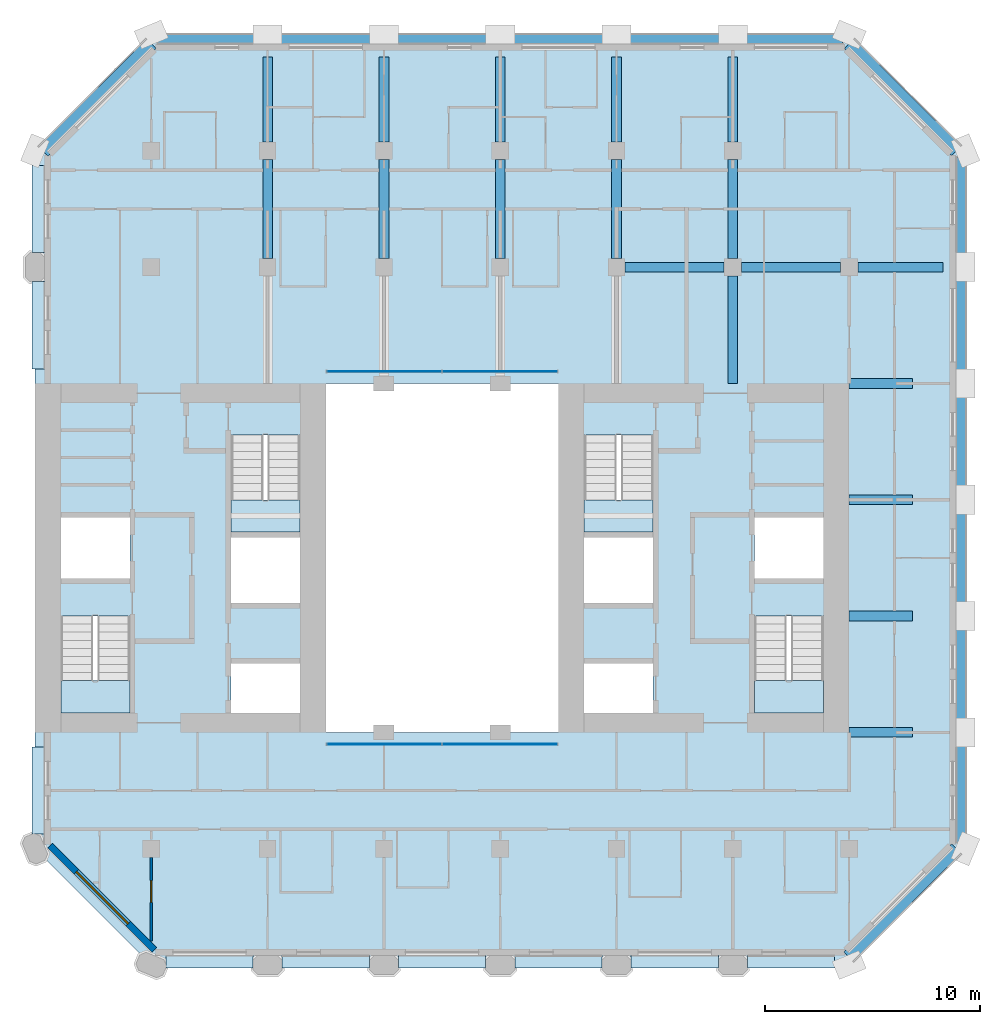
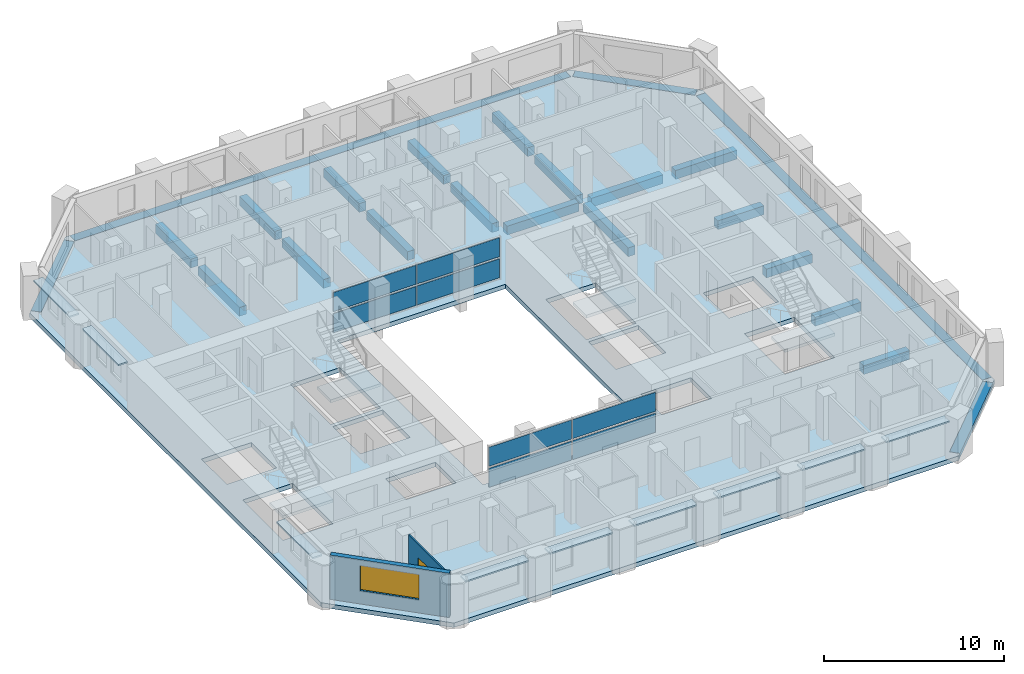
# One storey, part 3 of 13: 23 beams, 17 plates, 5 slabs, 2 walls, 1 door, 1 window, 2 openings, 6 elements without a shape of their own.
"""IFC4 building model written with IfcOpenShell, lengths in metres."""

from ifc_helpers import new_model, si_unit, direction, frame, frame_2d, origin, origin_2d, place, context, subcontext, project, spatial, polyline, rectangle, outline, extrude, material, layer, layer_set, material_profile, profile_set, type_object, element, fill, aggregate, save


model = new_model("IFC4")

# Units and contexts
model_context = context("Model", 3, precision=1e-05, world=origin(), true_north=direction((0.0, 1.0)))
body_context = subcontext(model_context, "Body", "Model", "MODEL_VIEW")
ifc_project = project(units=[si_unit("LENGTHUNIT", "METRE"), si_unit("AREAUNIT", "SQUARE_METRE"), si_unit("VOLUMEUNIT", "CUBIC_METRE"), si_unit("PLANEANGLEUNIT", "RADIAN"), si_unit("MASSUNIT", "GRAM", prefix="KILO")], contexts=[model_context])

# Site, building, storey
site_placement = place(None, origin())
site = spatial("IfcSite", under=ifc_project, at=site_placement, CompositionType="ELEMENT")
building_placement = place(site_placement, origin())
building = spatial("IfcBuilding", under=site, at=building_placement, Name="Tabaq Tower and Sports Hall", CompositionType="ELEMENT")
storey_placement = place(building_placement, frame((0.0, 0.0, 200.5)))
storey = spatial("IfcBuildingStorey", under=building, at=storey_placement, Name="L49", CompositionType="ELEMENT", Elevation=200.5)

# Beams
ifc_material_1 = material(Name="Concrete C40/50", Category="concrete")
ifc_material_profile_1 = material_profile(ifc_material_1, rectangle(XDim=0.449951171875, YDim=0.60009765625, at=origin_2d()), Name="CB 450x600")
ifc_profile_set_1 = profile_set([ifc_material_profile_1], Name="Concrete C40/50")
beam_type_1 = type_object("IfcBeamType", Name="PT CANTILEVER BEAM CB 450x600 C40/50", PredefinedType="BEAM", material=ifc_profile_set_1)
for number, where, z_axis, x_axis, name in (
    (1, (46.14990234375, 16.199951171875, -0.60009765625), (-1.0, 0.0, 0.0), (0.0, -1.0, 0.0), "Cantilever Beam L49 E3 span 1"),
    (2, (46.14990234375, 21.60009765625, -0.60009765625), (-1.0, 0.0, 0.0), (0.0, -1.0, 0.0), "Cantilever Beam L49 E4 span 1"),
    (3, (46.14990234375, 27.0, -0.60009765625), (-1.0, 0.0, 0.0), (0.0, -1.0, 0.0), "Cantilever Beam L49 E5 span 1"),
    (4, (46.14990234375, 32.39990234375, -0.60009765625), (-1.0, 0.0, 0.0), (0.0, -1.0, 0.0), "Cantilever Beam L49 E6 span 1"),
):
    element("IfcBeam", number, at=place(storey_placement, frame(where, z_axis=z_axis, x_axis=x_axis)), inside=storey, type_object=beam_type_1, Name=name, PredefinedType="BEAM", context=body_context, shape_type="SweptSolid", body=[
        extrude(rectangle(XDim=0.449951171875, YDim=0.60009765625, at=origin_2d()), origin(), (0.0, 0.0, 1.0), 2.949951171875),
    ])
beam_1_placement = place(storey_placement, frame((47.550048828125, 37.800048828125, -0.60009765625), z_axis=(-1.0, 0.0, 0.0), x_axis=(0.0, -1.0, 0.0)))
element("IfcBeam", 5, at=beam_1_placement, inside=storey, type_object=beam_type_1, Name="Cantilever Beam L49 E7 span 1", PredefinedType="BEAM", context=body_context, shape_type="SweptSolid", body=[
    extrude(rectangle(XDim=0.449951171875, YDim=0.60009765625, at=origin_2d()), origin(), (0.0, 0.0, 1.0), 3.949951171875),
])
beam_2_placement = place(storey_placement, frame((42.800048828125, 37.800048828125, -0.60009765625), z_axis=(-1.0, 0.0, 0.0), x_axis=(0.0, -1.0, 0.0)))
element("IfcBeam", 6, at=beam_2_placement, inside=storey, type_object=beam_type_1, Name="Cantilever Beam L49 E7 span 2", PredefinedType="BEAM", context=body_context, shape_type="SweptSolid", body=[
    extrude(rectangle(XDim=0.449951171875, YDim=0.60009765625, at=origin_2d()), origin(), (0.0, 0.0, 1.0), 4.60009765625),
])
beam_3_placement = place(storey_placement, frame((37.39990234375, 37.800048828125, -0.60009765625), z_axis=(-1.0, 0.0, 0.0), x_axis=(0.0, -1.0, 0.0)))
element("IfcBeam", 7, at=beam_3_placement, inside=storey, type_object=beam_type_1, Name="Cantilever Beam L49 E7 span 3", PredefinedType="BEAM", context=body_context, shape_type="SweptSolid", body=[
    extrude(rectangle(XDim=0.449951171875, YDim=0.60009765625, at=origin_2d()), origin(), (0.0, 0.0, 1.0), 4.599853515625),
])
beam_4_placement = place(storey_placement, frame((16.199951171875, 47.550048828125, -0.60009765625), z_axis=(0.0, -1.0, 0.0), x_axis=(1.0, 0.0, 0.0)))
element("IfcBeam", 8, at=beam_4_placement, inside=storey, type_object=beam_type_1, Name="Cantilever Beam L49 N3 span 1", PredefinedType="BEAM", context=body_context, shape_type="SweptSolid", body=[
    extrude(rectangle(XDim=0.449951171875, YDim=0.60009765625, at=origin_2d()), origin(), (0.0, 0.0, 1.0), 3.949951171875),
])
beam_5_placement = place(storey_placement, frame((16.199951171875, 42.800048828125, -0.60009765625), z_axis=(0.0, -1.0, 0.0), x_axis=(1.0, 0.0, 0.0)))
element("IfcBeam", 9, at=beam_5_placement, inside=storey, type_object=beam_type_1, Name="Cantilever Beam L49 N3 span 2", PredefinedType="BEAM", context=body_context, shape_type="SweptSolid", body=[
    extrude(rectangle(XDim=0.449951171875, YDim=0.60009765625, at=origin_2d()), origin(), (0.0, 0.0, 1.0), 4.60009765625),
])
beam_6_placement = place(storey_placement, frame((21.60009765625, 47.550048828125, -0.60009765625), z_axis=(0.0, -1.0, 0.0), x_axis=(1.0, 0.0, 0.0)))
element("IfcBeam", 10, at=beam_6_placement, inside=storey, type_object=beam_type_1, Name="Cantilever Beam L49 N4 span 1", PredefinedType="BEAM", context=body_context, shape_type="SweptSolid", body=[
    extrude(rectangle(XDim=0.449951171875, YDim=0.60009765625, at=origin_2d()), origin(), (0.0, 0.0, 1.0), 3.949951171875),
])
beam_7_placement = place(storey_placement, frame((21.60009765625, 42.800048828125, -0.60009765625), z_axis=(0.0, -1.0, 0.0), x_axis=(1.0, 0.0, 0.0)))
element("IfcBeam", 11, at=beam_7_placement, inside=storey, type_object=beam_type_1, Name="Cantilever Beam L49 N4 span 2", PredefinedType="BEAM", context=body_context, shape_type="SweptSolid", body=[
    extrude(rectangle(XDim=0.449951171875, YDim=0.60009765625, at=origin_2d()), origin(), (0.0, 0.0, 1.0), 4.60009765625),
])
beam_8_placement = place(storey_placement, frame((27.0, 47.550048828125, -0.60009765625), z_axis=(0.0, -1.0, 0.0), x_axis=(1.0, 0.0, 0.0)))
element("IfcBeam", 12, at=beam_8_placement, inside=storey, type_object=beam_type_1, Name="Cantilever Beam L49 N5 span 1", PredefinedType="BEAM", context=body_context, shape_type="SweptSolid", body=[
    extrude(rectangle(XDim=0.449951171875, YDim=0.60009765625, at=origin_2d()), origin(), (0.0, 0.0, 1.0), 3.949951171875),
])
beam_9_placement = place(storey_placement, frame((27.0, 42.800048828125, -0.60009765625), z_axis=(0.0, -1.0, 0.0), x_axis=(1.0, 0.0, 0.0)))
element("IfcBeam", 13, at=beam_9_placement, inside=storey, type_object=beam_type_1, Name="Cantilever Beam L49 N5 span 2", PredefinedType="BEAM", context=body_context, shape_type="SweptSolid", body=[
    extrude(rectangle(XDim=0.449951171875, YDim=0.60009765625, at=origin_2d()), origin(), (0.0, 0.0, 1.0), 4.60009765625),
])
beam_10_placement = place(storey_placement, frame((32.39990234375, 47.550048828125, -0.60009765625), z_axis=(0.0, -1.0, 0.0), x_axis=(1.0, 0.0, 0.0)))
element("IfcBeam", 14, at=beam_10_placement, inside=storey, type_object=beam_type_1, Name="Cantilever Beam L49 N6 span 1", PredefinedType="BEAM", context=body_context, shape_type="SweptSolid", body=[
    extrude(rectangle(XDim=0.449951171875, YDim=0.60009765625, at=origin_2d()), origin(), (0.0, 0.0, 1.0), 3.949951171875),
])
beam_11_placement = place(storey_placement, frame((32.39990234375, 42.800048828125, -0.60009765625), z_axis=(0.0, -1.0, 0.0), x_axis=(1.0, 0.0, 0.0)))
element("IfcBeam", 15, at=beam_11_placement, inside=storey, type_object=beam_type_1, Name="Cantilever Beam L49 N6 span 2", PredefinedType="BEAM", context=body_context, shape_type="SweptSolid", body=[
    extrude(rectangle(XDim=0.449951171875, YDim=0.60009765625, at=origin_2d()), origin(), (0.0, 0.0, 1.0), 4.60009765625),
])
beam_12_placement = place(storey_placement, frame((37.800048828125, 47.550048828125, -0.60009765625), z_axis=(0.0, -1.0, 0.0), x_axis=(1.0, 0.0, 0.0)))
element("IfcBeam", 16, at=beam_12_placement, inside=storey, type_object=beam_type_1, Name="Cantilever Beam L49 N7 span 1", PredefinedType="BEAM", context=body_context, shape_type="SweptSolid", body=[
    extrude(rectangle(XDim=0.449951171875, YDim=0.60009765625, at=origin_2d()), origin(), (0.0, 0.0, 1.0), 3.949951171875),
])
beam_13_placement = place(storey_placement, frame((37.800048828125, 42.800048828125, -0.60009765625), z_axis=(0.0, -1.0, 0.0), x_axis=(1.0, 0.0, 0.0)))
element("IfcBeam", 17, at=beam_13_placement, inside=storey, type_object=beam_type_1, Name="Cantilever Beam L49 N7 span 2", PredefinedType="BEAM", context=body_context, shape_type="SweptSolid", body=[
    extrude(rectangle(XDim=0.449951171875, YDim=0.60009765625, at=origin_2d()), origin(), (0.0, 0.0, 1.0), 4.60009765625),
])
beam_14_placement = place(storey_placement, frame((37.800048828125, 37.39990234375, -0.60009765625), z_axis=(0.0, -1.0, 0.0), x_axis=(1.0, 0.0, 0.0)))
element("IfcBeam", 18, at=beam_14_placement, inside=storey, type_object=beam_type_1, Name="Cantilever Beam L49 N7 span 3", PredefinedType="BEAM", context=body_context, shape_type="SweptSolid", body=[
    extrude(rectangle(XDim=0.449951171875, YDim=0.60009765625, at=origin_2d()), origin(), (0.0, 0.0, 1.0), 5.0),
])
ifc_material_2 = material(Name="Concrete C40/50", Category="concrete")
ifc_material_profile_2 = material_profile(ifc_material_2, rectangle(XDim=0.60009765625, YDim=0.300048828125, at=origin_2d()), Name="EB 600x300")
ifc_profile_set_2 = profile_set([ifc_material_profile_2], Name="Concrete C40/50")
beam_type_2 = type_object("IfcBeamType", Name="PT EDGE BEAM EB 600x300 C40/50", PredefinedType="SPANDREL", material=ifc_profile_set_2)
beam_15_placement = place(storey_placement, frame((43.16455078125, 5.788818359375, -0.14990234375), z_axis=(0.707106781187, 0.707106781187, 0.0), x_axis=(-0.707106781187, 0.707106781187, 0.0)))
element("IfcBeam", 19, at=beam_15_placement, inside=storey, type_object=beam_type_2, Name="Edge Beam L49 1", PredefinedType="SPANDREL", context=body_context, shape_type="SweptSolid", body=[
    extrude(rectangle(XDim=0.60009765625, YDim=0.300048828125, at=origin_2d()), origin(), (0.0, 0.0, 1.0), 7.08837890625),
])
beam_16_placement = place(storey_placement, frame((48.300048828125, 11.0986328125, -0.14990234375), z_axis=(0.0, 1.0, 0.0), x_axis=(-1.0, 0.0, 0.0)))
element("IfcBeam", 20, at=beam_16_placement, inside=storey, type_object=beam_type_2, Name="Edge Beam L49 2", PredefinedType="SPANDREL", context=body_context, shape_type="SweptSolid", body=[
    extrude(rectangle(XDim=0.60009765625, YDim=0.300048828125, at=origin_2d()), origin(), (0.0, 0.0, 1.0), 31.802734375),
])
beam_17_placement = place(storey_placement, frame((48.1767578125, 43.198974609375, -0.14990234375), z_axis=(-0.707106781187, 0.707106781187, 0.0), x_axis=(-0.707106781187, -0.707106781187, 0.0)))
element("IfcBeam", 21, at=beam_17_placement, inside=storey, type_object=beam_type_2, Name="Edge Beam L49 3", PredefinedType="SPANDREL", context=body_context, shape_type="SweptSolid", body=[
    extrude(rectangle(XDim=0.60009765625, YDim=0.300048828125, at=origin_2d()), origin(), (0.0, 0.0, 1.0), 7.03955078125),
])
beam_18_placement = place(storey_placement, frame((42.9013671875, 48.300048828125, -0.14990234375), z_axis=(-1.0, 0.0, 0.0), x_axis=(0.0, -1.0, 0.0)))
element("IfcBeam", 22, at=beam_18_placement, inside=storey, type_object=beam_type_2, Name="Edge Beam L49 4", PredefinedType="SPANDREL", context=body_context, shape_type="SweptSolid", body=[
    extrude(rectangle(XDim=0.60009765625, YDim=0.300048828125, at=origin_2d()), origin(), (0.0, 0.0, 1.0), 31.802734375),
])
beam_19_placement = place(storey_placement, frame((10.801025390625, 48.1767578125, -0.14990234375), z_axis=(-0.707106781187, -0.707106781187, 0.0), x_axis=(0.707106781187, -0.707106781187, 0.0)))
element("IfcBeam", 23, at=beam_19_placement, inside=storey, type_object=beam_type_2, Name="Edge Beam L49 5", PredefinedType="SPANDREL", context=body_context, shape_type="SweptSolid", body=[
    extrude(rectangle(XDim=0.60009765625, YDim=0.300048828125, at=origin_2d()), origin(), (0.0, 0.0, 1.0), 7.08837890625),
])

# Curtain wall, plates
ifc_material_3 = material(Name="Aluminium alloy 6063-T6 framed glazing", Category="aluminium")
curtain_wall_type = type_object("IfcCurtainWallType", Name="CW1 curtain wall", PredefinedType="USERDEFINED", material=ifc_material_3)
curtain_wall_1_placement = place(storey_placement, origin())
curtain_wall_1 = element("IfcCurtainWall", 24, at=curtain_wall_1_placement, inside=storey, type_object=curtain_wall_type, Name="Atrium glazing L49 S", ObjectType="ATRIUM ENCLOSURE", PredefinedType="USERDEFINED")
ifc_material_4 = material(Name="Clear low-emissivity glass 28 mm", Category="glass")
ifc_layer_1 = layer(ifc_material_4, 0.028076171875)
ifc_layer_set_1 = layer_set([ifc_layer_1], Name="CW1 glass panel 28")
plate_type_1 = type_object("IfcPlateType", Name="CW1 glass panel 28", PredefinedType="CURTAIN_PANEL", material=ifc_layer_set_1)
plate_1_placement = place(storey_placement, frame((21.614990234375, 15.64990234375, 0.139892578125), z_axis=(0.0, 0.0, 1.0), x_axis=(1.0, 0.0, 0.0)))
plate_1 = element("IfcPlate", 25, at=plate_1_placement, type_object=plate_type_1, Name="CW1 panel 1.1", PredefinedType="CURTAIN_PANEL", context=body_context, shape_type="SweptSolid", body=[
    extrude(rectangle(XDim=5.31005859375, YDim=0.028076171875, at=origin_2d()), origin(), (0.0, 0.0, 1.0), 1.2900390625),
])
plate_2_placement = place(storey_placement, frame((21.614990234375, 15.64990234375, 1.570068359375), z_axis=(0.0, 0.0, 1.0), x_axis=(1.0, 0.0, 0.0)))
plate_2 = element("IfcPlate", 26, at=plate_2_placement, type_object=plate_type_1, Name="CW1 panel 1.2", PredefinedType="CURTAIN_PANEL", context=body_context, shape_type="SweptSolid", body=[
    extrude(rectangle(XDim=5.31005859375, YDim=0.028076171875, at=origin_2d()), origin(), (0.0, 0.0, 1.0), 1.2900390625),
])
plate_3_placement = place(storey_placement, frame((26.985107421875, 15.64990234375, 0.139892578125), z_axis=(0.0, 0.0, 1.0), x_axis=(1.0, 0.0, 0.0)))
plate_3 = element("IfcPlate", 27, at=plate_3_placement, type_object=plate_type_1, Name="CW1 panel 2.1", PredefinedType="CURTAIN_PANEL", context=body_context, shape_type="SweptSolid", body=[
    extrude(rectangle(XDim=5.31005859375, YDim=0.028076171875, at=origin_2d()), origin(), (0.0, 0.0, 1.0), 1.2900390625),
])
plate_4_placement = place(storey_placement, frame((26.985107421875, 15.64990234375, 1.570068359375), z_axis=(0.0, 0.0, 1.0), x_axis=(1.0, 0.0, 0.0)))
plate_4 = element("IfcPlate", 28, at=plate_4_placement, type_object=plate_type_1, Name="CW1 panel 2.2", PredefinedType="CURTAIN_PANEL", context=body_context, shape_type="SweptSolid", body=[
    extrude(rectangle(XDim=5.31005859375, YDim=0.028076171875, at=origin_2d()), origin(), (0.0, 0.0, 1.0), 1.2900390625),
])
aggregate(curtain_wall_1, [plate_1, plate_2, plate_3, plate_4])

curtain_wall_2_placement = place(storey_placement, origin())
curtain_wall_2 = element("IfcCurtainWall", 29, at=curtain_wall_2_placement, inside=storey, type_object=curtain_wall_type, Name="Atrium glazing L49 N", ObjectType="ATRIUM ENCLOSURE", PredefinedType="USERDEFINED")
plate_5_placement = place(storey_placement, frame((21.614990234375, 32.949951171875, 0.139892578125), z_axis=(0.0, 0.0, 1.0), x_axis=(1.0, 0.0, 0.0)))
plate_5 = element("IfcPlate", 30, at=plate_5_placement, type_object=plate_type_1, Name="CW1 panel 1.1", PredefinedType="CURTAIN_PANEL", context=body_context, shape_type="SweptSolid", body=[
    extrude(rectangle(XDim=5.31005859375, YDim=0.028076171875, at=origin_2d()), origin(), (0.0, 0.0, 1.0), 1.2900390625),
])
plate_6_placement = place(storey_placement, frame((21.614990234375, 32.949951171875, 1.570068359375), z_axis=(0.0, 0.0, 1.0), x_axis=(1.0, 0.0, 0.0)))
plate_6 = element("IfcPlate", 31, at=plate_6_placement, type_object=plate_type_1, Name="CW1 panel 1.2", PredefinedType="CURTAIN_PANEL", context=body_context, shape_type="SweptSolid", body=[
    extrude(rectangle(XDim=5.31005859375, YDim=0.028076171875, at=origin_2d()), origin(), (0.0, 0.0, 1.0), 1.2900390625),
])
plate_7_placement = place(storey_placement, frame((26.985107421875, 32.949951171875, 0.139892578125), z_axis=(0.0, 0.0, 1.0), x_axis=(1.0, 0.0, 0.0)))
plate_7 = element("IfcPlate", 32, at=plate_7_placement, type_object=plate_type_1, Name="CW1 panel 2.1", PredefinedType="CURTAIN_PANEL", context=body_context, shape_type="SweptSolid", body=[
    extrude(rectangle(XDim=5.31005859375, YDim=0.028076171875, at=origin_2d()), origin(), (0.0, 0.0, 1.0), 1.2900390625),
])
plate_8_placement = place(storey_placement, frame((26.985107421875, 32.949951171875, 1.570068359375), z_axis=(0.0, 0.0, 1.0), x_axis=(1.0, 0.0, 0.0)))
plate_8 = element("IfcPlate", 33, at=plate_8_placement, type_object=plate_type_1, Name="CW1 panel 2.2", PredefinedType="CURTAIN_PANEL", context=body_context, shape_type="SweptSolid", body=[
    extrude(rectangle(XDim=5.31005859375, YDim=0.028076171875, at=origin_2d()), origin(), (0.0, 0.0, 1.0), 1.2900390625),
])
aggregate(curtain_wall_2, [plate_5, plate_6, plate_7, plate_8])

# Stair, slab
ifc_material_5 = material(Name="Concrete C40/50", Category="concrete")
stair_type = type_object("IfcStairType", Name="Exit stair", PredefinedType="HALF_TURN_STAIR", material=ifc_material_5)
stair_1_placement = place(storey_placement, origin())
stair_1 = element("IfcStair", 34, at=stair_1_placement, inside=storey, type_object=stair_type, Name="L49 Exit stair ST1", PredefinedType="HALF_TURN_STAIR")
ifc_material_6 = material(Name="Concrete C40/50", Category="concrete")
ifc_layer_2 = layer(ifc_material_6, 0.199951171875)
ifc_layer_set_2 = layer_set([ifc_layer_2], Name="Exit stair landing")
slab_type_1 = type_object("IfcSlabType", Name="Exit stair landing", PredefinedType="LANDING", material=ifc_layer_set_2)
slab_1_placement = place(storey_placement, frame((0.0, 0.0, 1.449951171875)))
slab_1 = element("IfcSlab", 35, at=slab_1_placement, type_object=slab_type_1, Name="ST1 landing 1", PredefinedType="LANDING", context=body_context, shape_type="SweptSolid", body=[
    extrude(outline(polyline([(6.60009765625, 18.60009765625), (6.60009765625, 17.10009765625), (9.800048828125, 17.10009765625), (9.800048828125, 18.60009765625), (6.60009765625, 18.60009765625)])), origin(), (0.0, 0.0, 1.0), 0.199951171875),
])
aggregate(stair_1, [slab_1])

stair_2_placement = place(storey_placement, origin())
stair_2 = element("IfcStair", 36, at=stair_2_placement, inside=storey, type_object=stair_type, Name="L49 Exit stair ST2", PredefinedType="HALF_TURN_STAIR")
slab_2_placement = place(storey_placement, frame((0.0, 0.0, 1.449951171875)))
slab_2 = element("IfcSlab", 37, at=slab_2_placement, type_object=slab_type_1, Name="ST2 landing 1", PredefinedType="LANDING", context=body_context, shape_type="SweptSolid", body=[
    extrude(outline(polyline([(14.5, 27.0), (14.5, 25.5), (17.699951171875, 25.5), (17.699951171875, 27.0), (14.5, 27.0)])), origin(), (0.0, 0.0, 1.0), 0.199951171875),
])
aggregate(stair_2, [slab_2])

stair_3_placement = place(storey_placement, origin())
stair_3 = element("IfcStair", 38, at=stair_3_placement, inside=storey, type_object=stair_type, Name="L49 Exit stair ST3", PredefinedType="HALF_TURN_STAIR")
slab_3_placement = place(storey_placement, frame((0.0, 0.0, 1.449951171875)))
slab_3 = element("IfcSlab", 39, at=slab_3_placement, type_object=slab_type_1, Name="ST3 landing 1", PredefinedType="LANDING", context=body_context, shape_type="SweptSolid", body=[
    extrude(outline(polyline([(38.800048828125, 18.60009765625), (38.800048828125, 17.10009765625), (42.0, 17.10009765625), (42.0, 18.60009765625), (38.800048828125, 18.60009765625)])), origin(), (0.0, 0.0, 1.0), 0.199951171875),
])
aggregate(stair_3, [slab_3])

stair_4_placement = place(storey_placement, origin())
stair_4 = element("IfcStair", 40, at=stair_4_placement, inside=storey, type_object=stair_type, Name="L49 Exit stair ST4", PredefinedType="HALF_TURN_STAIR")
slab_4_placement = place(storey_placement, frame((0.0, 0.0, 1.449951171875)))
slab_4 = element("IfcSlab", 41, at=slab_4_placement, type_object=slab_type_1, Name="ST4 landing 1", PredefinedType="LANDING", context=body_context, shape_type="SweptSolid", body=[
    extrude(outline(polyline([(30.89990234375, 27.0), (30.89990234375, 25.5), (34.10009765625, 25.5), (34.10009765625, 27.0), (30.89990234375, 27.0)])), origin(), (0.0, 0.0, 1.0), 0.199951171875),
])
aggregate(stair_4, [slab_4])

# Slab
ifc_material_7 = material(Name="Concrete C40/50", Category="concrete")
ifc_layer_3 = layer(ifc_material_7, 0.300048828125)
ifc_layer_set_3 = layer_set([ifc_layer_3], Name="PT FLOOR SLAB 300 C40/50")
slab_type_2 = type_object("IfcSlabType", Name="PT FLOOR SLAB 300 C40/50", PredefinedType="FLOOR", material=ifc_layer_set_3)
slab_5_placement = place(storey_placement, frame((0.0, 0.0, -0.300048828125)))
element("IfcSlab", 42, at=slab_5_placement, inside=storey, type_object=slab_type_2, Name="Floor Slab L49", PredefinedType="FLOOR", context=body_context, shape_type="SweptSolid", body=[
    extrude(outline(polyline([(5.39990234375, 43.199951171875), (5.39990234375, 10.800048828125), (10.800048828125, 5.39990234375), (43.199951171875, 5.39990234375), (43.376708984375, 5.57666015625), (42.952392578125, 6.0009765625), (47.964599609375, 11.01318359375), (48.035400390625, 10.9423828125), (48.388916015625, 10.5888671875), (48.60009765625, 10.800048828125), (48.60009765625, 11.0986328125), (48.10009765625, 11.0986328125), (48.0, 11.0986328125), (48.0, 42.9013671875), (48.10009765625, 42.9013671875), (48.60009765625, 42.9013671875), (48.60009765625, 43.199951171875), (48.388916015625, 43.4111328125), (48.035400390625, 43.0576171875), (47.964599609375, 42.98681640625), (42.98681640625, 47.964599609375), (43.0576171875, 48.035400390625), (43.4111328125, 48.388916015625), (43.199951171875, 48.60009765625), (42.9013671875, 48.60009765625), (42.9013671875, 48.10009765625), (42.9013671875, 48.0), (11.0986328125, 48.0), (11.0986328125, 48.10009765625), (11.0986328125, 48.60009765625), (10.800048828125, 48.60009765625), (10.5888671875, 48.388916015625), (10.9423828125, 48.035400390625), (11.01318359375, 47.964599609375), (6.0009765625, 42.952392578125), (5.57666015625, 43.376708984375), (5.39990234375, 43.199951171875)]), holes=[polyline([(14.5, 19.39990234375), (17.699951171875, 19.39990234375), (17.699951171875, 17.10009765625), (14.5, 17.10009765625), (14.5, 19.39990234375)]), polyline([(6.60009765625, 21.599365234375), (9.800048828125, 21.599365234375), (9.800048828125, 17.10009765625), (6.60009765625, 17.10009765625), (6.60009765625, 21.599365234375)]), polyline([(14.5, 25.25), (17.699951171875, 25.25), (17.699951171875, 22.199951171875), (14.5, 22.199951171875), (14.5, 25.25)]), polyline([(18.89990234375, 32.39990234375), (29.699951171875, 32.39990234375), (29.699951171875, 16.199951171875), (18.89990234375, 16.199951171875), (18.89990234375, 32.39990234375)]), polyline([(9.800048828125, 26.175048828125), (9.800048828125, 23.35009765625), (6.60009765625, 23.35009765625), (6.60009765625, 26.175048828125), (9.800048828125, 26.175048828125)]), polyline([(14.5, 29.99951171875), (17.699951171875, 29.99951171875), (17.699951171875, 25.5), (14.5, 25.5), (14.5, 29.99951171875)]), polyline([(34.10009765625, 19.39990234375), (34.10009765625, 17.10009765625), (30.89990234375, 17.10009765625), (30.89990234375, 19.39990234375), (34.10009765625, 19.39990234375)]), polyline([(42.0, 21.599365234375), (42.0, 17.10009765625), (38.800048828125, 17.10009765625), (38.800048828125, 21.599365234375), (42.0, 21.599365234375)]), polyline([(30.89990234375, 25.25), (34.10009765625, 25.25), (34.10009765625, 22.199951171875), (30.89990234375, 22.199951171875), (30.89990234375, 25.25)]), polyline([(42.0, 26.175048828125), (42.0, 23.35009765625), (38.800048828125, 23.35009765625), (38.800048828125, 26.175048828125), (42.0, 26.175048828125)]), polyline([(34.10009765625, 29.99951171875), (34.10009765625, 25.5), (30.89990234375, 25.5), (30.89990234375, 29.99951171875), (34.10009765625, 29.99951171875)])]), origin(), (0.0, 0.0, 1.0), 0.300048828125),
])

# Plates
ifc_material_8 = material(Name="White precast concrete C60/75 blade", Category="concrete")
ifc_layer_4 = layer(ifc_material_8, 0.10009765625)
ifc_layer_set_4 = layer_set([ifc_layer_4], Name="White precast concrete C60/75 sunshade 100")
plate_type_2 = type_object("IfcPlateType", Name="White precast concrete C60/75 sunshade 100", PredefinedType="USERDEFINED", material=ifc_layer_set_4)
for number, where, z_axis, x_axis, name in (
    (43, (13.5, 5.550048828125, 2.599853515625), (0.0, 0.0, 1.0), (1.0, 0.0, 0.0), "Sunshade L49 S"),
    (44, (18.89990234375, 5.550048828125, 2.599853515625), (0.0, 0.0, 1.0), (1.0, 0.0, 0.0), "Sunshade L49 S"),
    (45, (24.300048828125, 5.550048828125, 2.599853515625), (0.0, 0.0, 1.0), (1.0, 0.0, 0.0), "Sunshade L49 S"),
    (46, (29.699951171875, 5.550048828125, 2.599853515625), (0.0, 0.0, 1.0), (1.0, 0.0, 0.0), "Sunshade L49 S"),
    (47, (35.10009765625, 5.550048828125, 2.599853515625), (0.0, 0.0, 1.0), (1.0, 0.0, 0.0), "Sunshade L49 S"),
    (48, (40.5, 5.550048828125, 2.599853515625), (0.0, 0.0, 1.0), (1.0, 0.0, 0.0), "Sunshade L49 S"),
    (49, (5.550048828125, 40.5, 2.599853515625), (0.0, 0.0, 1.0), (0.0, -1.0, 0.0), "Sunshade L49 W"),
    (50, (5.550048828125, 35.10009765625, 2.599853515625), (0.0, 0.0, 1.0), (0.0, -1.0, 0.0), "Sunshade L49 W"),
    (51, (5.550048828125, 13.5, 2.599853515625), (0.0, 0.0, 1.0), (0.0, -1.0, 0.0), "Sunshade L49 W"),
):
    element("IfcPlate", number, at=place(storey_placement, frame(where, z_axis=z_axis, x_axis=x_axis)), inside=storey, type_object=plate_type_2, Name=name, ObjectType="SUNSHADE", PredefinedType="USERDEFINED", context=body_context, shape_type="SweptSolid", body=[
        extrude(rectangle(XDim=4.050048828125, YDim=0.60009765625, at=origin_2d()), origin(), (0.0, 0.0, 1.0), 0.10009765625),
    ])

# Wall, opening, door
ifc_material_9 = material(Name="Gypsum board on steel studs", Category="steel")
ifc_layer_5 = layer(ifc_material_9, 0.10009765625)
ifc_layer_set_5 = layer_set([ifc_layer_5], Name="Partition 100 Gypsum board")
wall_type_1 = type_object("IfcWallType", Name="Partition 100 Gypsum board", PredefinedType="PARTITIONING", material=ifc_layer_set_5)
wall_1_placement = place(storey_placement, frame((10.800048828125, 6.51220703125, 0.0), z_axis=(0.0, 0.0, 1.0), x_axis=(0.0, 1.0, 0.0)))
wall_1 = element("IfcWall", 52, at=wall_1_placement, inside=storey, type_object=wall_type_1, Name="Partition wall L49", PredefinedType="PARTITIONING", context=body_context, shape_type="SweptSolid", body=[
    extrude(rectangle(XDim=3.86767578125, YDim=0.10009765625, at=frame_2d((1.933837890625, 0.0))), origin(), (0.0, 0.0, 1.0), 3.0),
])
opening_1_placement = place(wall_1_placement, frame((1.80029296875, 0.0, 0.0)))
opening_1 = element("IfcOpeningElement", 53, at=opening_1_placement, cuts=wall_1, Name="Opening L49-043", PredefinedType="OPENING", context=body_context, shape_type="SweptSolid", body=[
    extrude(rectangle(XDim=1.0, YDim=2.10009765625, at=frame_2d((0.5, 1.050048828125))), frame((0.0, 0.050048828125, 0.0), z_axis=(0.0, -1.0, 0.0), x_axis=(1.0, 0.0, 0.0)), (0.0, 0.0, 1.0), 0.10009765625),
])
ifc_material_10 = material(Name="Timber leaf in steel frame", Category="steel")
door_type = type_object("IfcDoorType", Name="Internal door 1000 left hand", OperationType="SINGLE_SWING_LEFT", PredefinedType="DOOR", material=ifc_material_10)
door_placement = place(opening_1_placement, origin())
door = element("IfcDoor", 54, at=door_placement, inside=storey, type_object=door_type, Name="Internal door L49-043", OperationType="SINGLE_SWING_LEFT", OverallHeight=2.10009765625, OverallWidth=1.0, PredefinedType="DOOR", context=body_context, shape_type="SweptSolid", body=[
    extrude(rectangle(XDim=1.0, YDim=2.10009765625, at=frame_2d((0.5, 1.050048828125))), frame((0.0, 0.02490234375, 0.0), z_axis=(0.0, -1.0, 0.0), x_axis=(1.0, 0.0, 0.0)), (0.0, 0.0, 1.0), 0.050048828125),
])
fill(opening_1, door)

# Wall, opening, window
ifc_material_11 = material(Name="White precast concrete C60/75", Category="concrete")
ifc_layer_6 = layer(ifc_material_11, 0.300048828125)
ifc_layer_set_6 = layer_set([ifc_layer_6], Name="White precast concrete C60/75 external wall 300")
wall_type_2 = type_object("IfcWallType", Name="White precast concrete C60/75 external wall 300", PredefinedType="SOLIDWALL", material=ifc_layer_set_6)
wall_2_placement = place(storey_placement, frame((6.098876953125, 10.949462890625, 0.0), z_axis=(0.0, 0.0, 1.0), x_axis=(0.707106781187, -0.707106781187, 0.0)))
wall_2 = element("IfcWall", 55, at=wall_2_placement, inside=storey, type_object=wall_type_2, Name="External Wall L49 SW", PredefinedType="SOLIDWALL", context=body_context, shape_type="SweptSolid", body=[
    extrude(rectangle(XDim=6.85986328125, YDim=0.300048828125, at=frame_2d((3.429931640625, 0.0))), origin(), (0.0, 0.0, 1.0), 3.0),
])
opening_2_placement = place(wall_2_placement, frame((1.729736328125, 0.0, 0.89990234375)))
opening_2 = element("IfcOpeningElement", 56, at=opening_2_placement, cuts=wall_2, Name="Opening W1A", PredefinedType="OPENING", context=body_context, shape_type="SweptSolid", body=[
    extrude(rectangle(XDim=3.39990234375, YDim=1.699951171875, at=frame_2d((1.699951171875, 0.85009765625))), frame((0.0, 0.16015625, 0.0), z_axis=(0.0, -1.0, 0.0), x_axis=(1.0, 0.0, 0.0)), (0.0, 0.0, 1.0), 0.320068359375),
])
ifc_material_12 = material(Name="Aluminium framed clear glazing", Category="aluminium")
window_type = type_object("IfcWindowType", Name="Window W1A", PartitioningType="SINGLE_PANEL", PredefinedType="WINDOW", material=ifc_material_12)
window_placement = place(opening_2_placement, origin())
window = element("IfcWindow", 57, at=window_placement, inside=storey, type_object=window_type, Name="Window W1A L49", OverallHeight=1.699951171875, OverallWidth=3.39990234375, PartitioningType="SINGLE_PANEL", PredefinedType="WINDOW", context=body_context, shape_type="SweptSolid", body=[
    extrude(rectangle(XDim=3.39990234375, YDim=1.699951171875, at=frame_2d((1.699951171875, 0.85009765625))), frame((0.0, 0.030029296875, 0.0), z_axis=(0.0, -1.0, 0.0), x_axis=(1.0, 0.0, 0.0)), (0.0, 0.0, 1.0), 0.06005859375),
])
fill(opening_2, window)

save(model, "model.ifc")
